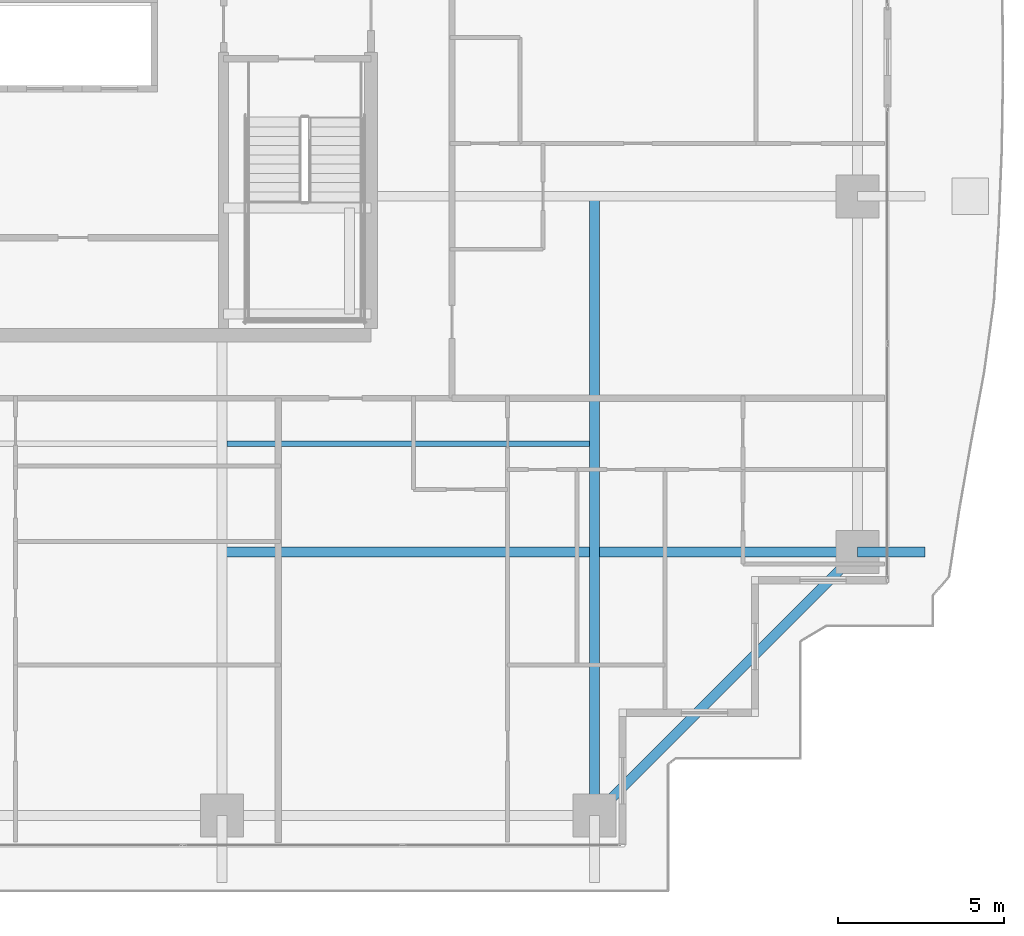
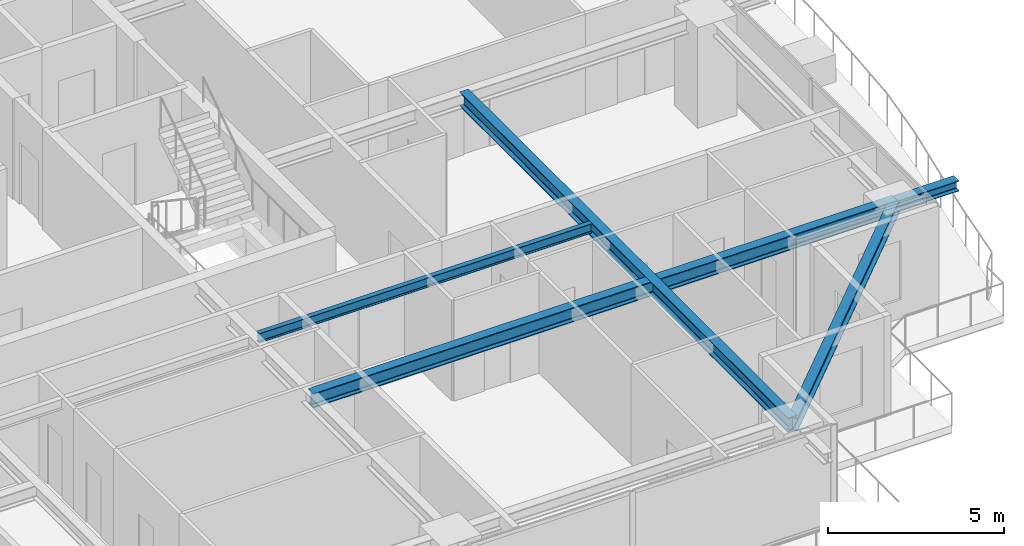
# One storey, part 10 of 33: 5 beams.
"""IFC4 building model written with IfcOpenShell, lengths in metres."""

from ifc_helpers import new_model, si_unit, direction, frame, origin, origin_2d, place, context, subcontext, project, spatial, i_section, extrude, source, transform, mapped, material, material_profile, profile_set, type_object, element, save


model = new_model("IFC4")

# Units and contexts
model_context = context("Model", 3, precision=1e-05, world=origin(), true_north=direction((0.0, 1.0)))
body_context = subcontext(model_context, "Body", "Model", "MODEL_VIEW")
ifc_project = project(units=[si_unit("LENGTHUNIT", "METRE"), si_unit("AREAUNIT", "SQUARE_METRE"), si_unit("VOLUMEUNIT", "CUBIC_METRE"), si_unit("PLANEANGLEUNIT", "RADIAN"), si_unit("MASSUNIT", "GRAM", prefix="KILO")], contexts=[model_context])

# Site, building, storey
site_placement = place(None, origin())
site = spatial("IfcSite", under=ifc_project, at=site_placement, CompositionType="ELEMENT")
building_placement = place(site_placement, origin())
building = spatial("IfcBuilding", under=site, at=building_placement, Name="Serunith Strait Residences", CompositionType="ELEMENT")
storey_placement = place(building_placement, frame((0.0, 0.0, 165.14990234375)))
storey = spatial("IfcBuildingStorey", under=building, at=storey_placement, Name="L41", CompositionType="ELEMENT", Elevation=165.14990234375)

# Beams
ifc_material = material(Name="Steel S355J2", Category="steel")
ifc_material_profile_1 = material_profile(ifc_material, i_section(OverallWidth=0.300048828125, OverallDepth=0.5, WebThickness=0.014404296875, FlangeThickness=0.028076171875, FilletRadius=0.027099609375, at=origin_2d()), Name="HEB 500")
ifc_profile_set_1 = profile_set([ifc_material_profile_1], Name="Steel S355J2")
beam_type_1 = type_object("IfcBeamType", Name="BM-HEB500", PredefinedType="BEAM", material=ifc_profile_set_1)
shared_shape_1 = source(origin(), body_context, "Body", "SweptSolid", [
    extrude(i_section(OverallWidth=0.300048828125, OverallDepth=0.5, WebThickness=0.014404296875, FlangeThickness=0.028076171875, FilletRadius=0.027099609375, at=origin_2d()), origin(), (0.0, 0.0, 1.0), 18.699951171875),
])
beam_1_placement = place(storey_placement, frame((48.14990234375, 21.0, 3.237060546875), z_axis=(0.0, -1.0, 0.0), x_axis=(1.0, 0.0, 0.0)))
element("IfcBeam", 1, at=beam_1_placement, inside=storey, type_object=beam_type_1, Name="L41 Orthogonal Corner Girder TC-S4", PredefinedType="BEAM", context=body_context, shape_type="MappedRepresentation", body=[
    mapped(shared_shape_1, transform((0.0, 0.0, 0.0), scale=1.0)),
])
shared_shape_2 = source(origin(), body_context, "Body", "SweptSolid", [
    extrude(i_section(OverallWidth=0.300048828125, OverallDepth=0.5, WebThickness=0.014404296875, FlangeThickness=0.028076171875, FilletRadius=0.027099609375, at=origin_2d()), origin(), (0.0, 0.0, 1.0), 19.2001953125),
])
beam_2_placement = place(storey_placement, frame((36.89990234375, 10.25, 3.237060546875), z_axis=(1.0, 0.0, 0.0), x_axis=(0.0, 1.0, 0.0)))
element("IfcBeam", 2, at=beam_2_placement, inside=storey, type_object=beam_type_1, Name="L41 Orthogonal Corner Girder TC-E1", PredefinedType="BEAM", context=body_context, shape_type="MappedRepresentation", body=[
    mapped(shared_shape_2, transform((0.0, 0.0, 0.0), scale=1.0)),
])
ifc_material_profile_2 = material_profile(ifc_material, i_section(OverallWidth=0.300048828125, OverallDepth=0.449951171875, WebThickness=0.013916015625, FlangeThickness=0.02587890625, FilletRadius=0.027099609375, at=origin_2d()), Name="HEB 450")
ifc_profile_set_2 = profile_set([ifc_material_profile_2], Name="Steel S355J2")
beam_type_2 = type_object("IfcBeamType", Name="BM-HEB450", PredefinedType="BEAM", material=ifc_profile_set_2)
shared_shape_3 = source(origin(), body_context, "Body", "SweptSolid", [
    extrude(i_section(OverallWidth=0.300048828125, OverallDepth=0.449951171875, WebThickness=0.013916015625, FlangeThickness=0.02587890625, FilletRadius=0.027099609375, at=origin_2d()), origin(), (0.0, 0.0, 1.0), 11.2431640625),
])
beam_3_placement = place(storey_placement, frame((48.14990234375, 2.300048828125, 3.232177734375), z_axis=(0.707117638455, 0.707095923751, 0.0), x_axis=(-0.707095923751, 0.707117638455, 0.0)))
element("IfcBeam", 3, at=beam_3_placement, inside=storey, type_object=beam_type_2, Name="L41 Perimeter Ring Beam 04", PredefinedType="BEAM", context=body_context, shape_type="MappedRepresentation", body=[
    mapped(shared_shape_3, transform((0.0, 0.0, 0.0), scale=1.0)),
])
ifc_material_profile_3 = material_profile(ifc_material, i_section(OverallWidth=0.300048828125, OverallDepth=0.360107421875, WebThickness=0.012451171875, FlangeThickness=0.0224609375, FilletRadius=0.027099609375, at=origin_2d()), Name="HEB 360")
ifc_profile_set_3 = profile_set([ifc_material_profile_3], Name="Steel S355J2")
beam_type_3 = type_object("IfcBeamType", Name="BM-HEB360", PredefinedType="BEAM", material=ifc_profile_set_3)
shared_shape_4 = source(origin(), body_context, "Body", "SweptSolid", [
    extrude(i_section(OverallWidth=0.300048828125, OverallDepth=0.360107421875, WebThickness=0.012451171875, FlangeThickness=0.0224609375, FilletRadius=0.027099609375, at=origin_2d()), origin(), (0.0, 0.0, 1.0), 2.02978515625),
])
beam_4_placement = place(storey_placement, frame((56.10009765625, 10.25, 3.277099609375), z_axis=(1.0, 0.0, 0.0), x_axis=(0.0, 1.0, 0.0)))
element("IfcBeam", 4, at=beam_4_placement, inside=storey, type_object=beam_type_3, Name="L42 Cantilevered Balcony Rib TC-E1", PredefinedType="BEAM", context=body_context, shape_type="MappedRepresentation", body=[
    mapped(shared_shape_4, transform((0.0, 0.0, 0.0), scale=1.0)),
])
ifc_material_profile_4 = material_profile(ifc_material, i_section(OverallWidth=0.159912109375, OverallDepth=0.330078125, WebThickness=0.007568359375, FlangeThickness=0.011474609375, FilletRadius=0.01806640625, at=origin_2d()), Name="IPE 330")
ifc_profile_set_4 = profile_set([ifc_material_profile_4], Name="Steel S355J2")
beam_type_4 = type_object("IfcBeamType", Name="BM-IPE330", PredefinedType="JOIST", material=ifc_profile_set_4)
shared_shape_5 = source(origin(), body_context, "Body", "SweptSolid", [
    extrude(i_section(OverallWidth=0.159912109375, OverallDepth=0.330078125, WebThickness=0.007568359375, FlangeThickness=0.011474609375, FilletRadius=0.01806640625, at=origin_2d()), origin(), (0.0, 0.0, 1.0), 10.949951171875),
])
beam_5_placement = place(storey_placement, frame((37.050048828125, 13.52490234375, 3.322021484375), z_axis=(1.0, 0.0, 0.0), x_axis=(0.0, 1.0, 0.0)))
element("IfcBeam", 5, at=beam_5_placement, inside=storey, type_object=beam_type_4, Name="L41 Composite Floor Joist 03", PredefinedType="JOIST", context=body_context, shape_type="MappedRepresentation", body=[
    mapped(shared_shape_5, transform((0.0, 0.0, 0.0), scale=1.0)),
])

save(model, "model.ifc")
